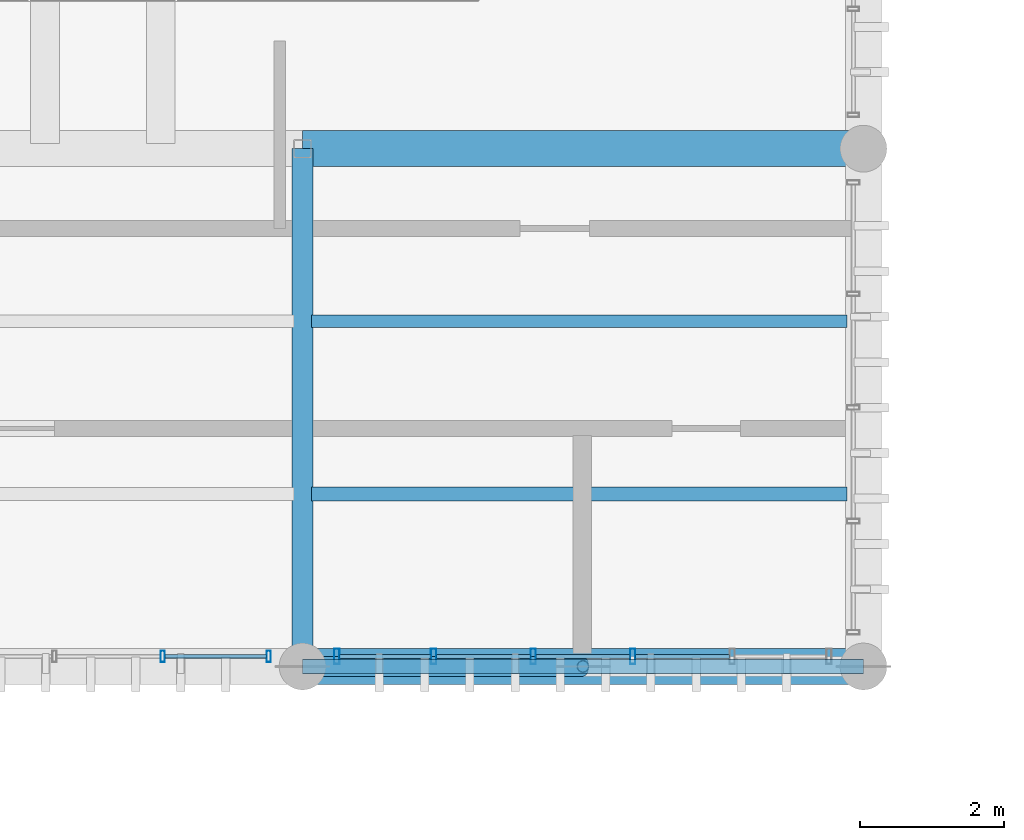
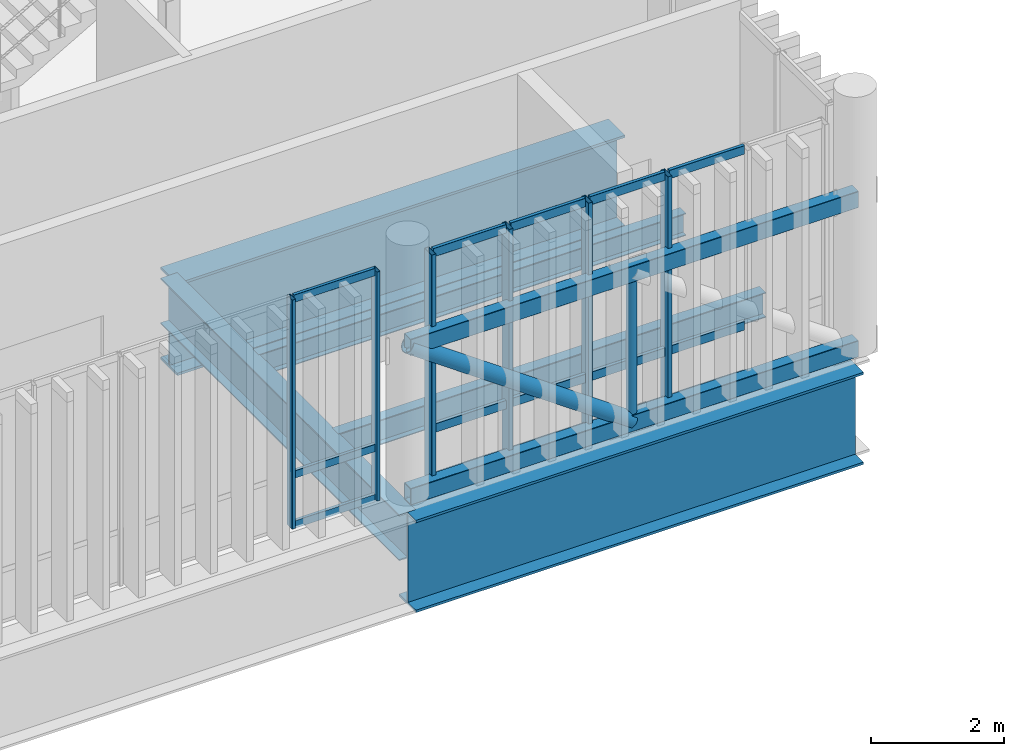
# One storey, part 34 of 86: 25 members, 5 beams, 2 elements without a shape of their own.
"""IFC4 building model written with IfcOpenShell, lengths in metres."""

from ifc_helpers import new_model, si_unit, direction, frame, origin_with_axes, origin_2d_with_axis, place, context, subcontext, project, spatial, hollow_rectangle, hollow_circle, i_section, extrude, material, material_profile, profile_set, type_object, element, aggregate, save


model = new_model("IFC4")

# Units and contexts
model_context = context("Model", 3, precision=1e-05, world=origin_with_axes(), true_north=direction((0.0, 1.0)))
body_context = subcontext(model_context, "Body", "Model", "MODEL_VIEW")
ifc_project = project(units=[si_unit("LENGTHUNIT", "METRE"), si_unit("AREAUNIT", "SQUARE_METRE"), si_unit("VOLUMEUNIT", "CUBIC_METRE"), si_unit("PLANEANGLEUNIT", "RADIAN"), si_unit("MASSUNIT", "GRAM", prefix="KILO"), si_unit("THERMODYNAMICTEMPERATUREUNIT", "KELVIN")], contexts=[model_context])

# Site, building, storey
site_placement = place(None, origin_with_axes())
site = spatial("IfcSite", under=ifc_project, at=site_placement, CompositionType="ELEMENT")
building_placement = place(site_placement, origin_with_axes())
building = spatial("IfcBuilding", under=site, at=building_placement, Name="Montbau Bow Law Courts", CompositionType="ELEMENT")
storey_placement = place(building_placement, frame((0.0, 0.0, 29.7), z_axis=(0.0, 0.0, 1.0), x_axis=(1.0, 0.0, 0.0)))
storey = spatial("IfcBuildingStorey", under=building, at=storey_placement, Name="L06", CompositionType="ELEMENT", Elevation=29.7)

# Beams
ifc_material_1 = material(Name="Steel CSA G40.21 Grade 350W (350 MPa)", Category="steel")
ifc_material_profile_1 = material_profile(ifc_material_1, i_section(OverallWidth=0.293, OverallDepth=0.846, WebThickness=0.0154, FlangeThickness=0.0244, at=origin_2d_with_axis()), Name="W840X210", Category="Main", Priority=0)
ifc_profile_set_1 = profile_set([ifc_material_profile_1], Name="Steel CSA G40.21 Grade 350W (350 MPa)")
beam_type_1 = type_object("IfcBeamType", Name="B-FLR-02", PredefinedType="BEAM", material=ifc_profile_set_1)
beam_1_placement = place(None, frame((97.2, 39.0, 28.937), z_axis=(0.0, 1.0, 0.0), x_axis=(-1.0, 0.0, 0.0)))
element("IfcBeam", 1, at=beam_1_placement, inside=storey, type_object=beam_type_1, Name="BM-L06-S1017:bm2_1020", PredefinedType="BEAM", context=body_context, shape_type="SweptSolid", body=[
    extrude(i_section(OverallWidth=0.293, OverallDepth=0.846, WebThickness=0.0154, FlangeThickness=0.0244, at=origin_2d_with_axis()), origin_with_axes(), (0.0, 0.0, 1.0), 7.2),
])
ifc_material_profile_2 = material_profile(ifc_material_1, i_section(OverallWidth=0.191, OverallDepth=0.46, WebThickness=0.0099, FlangeThickness=0.016, at=origin_2d_with_axis()), Name="W460X82", Category="Main", Priority=0)
ifc_profile_set_2 = profile_set([ifc_material_profile_2], Name="Steel CSA G40.21 Grade 350W (350 MPa)")
beam_type_2 = type_object("IfcBeamType", Name="B-JST-01", PredefinedType="JOIST", material=ifc_profile_set_2)
beam_2_placement = place(None, frame((97.323, 41.4, 29.13), z_axis=(1.0, 0.0, 0.0), x_axis=(0.0, 1.0, 0.0)))
element("IfcBeam", 2, at=beam_2_placement, inside=storey, type_object=beam_type_2, Name="JST-L06-S0524:jst2_0524", PredefinedType="JOIST", context=body_context, shape_type="SweptSolid", body=[
    extrude(i_section(OverallWidth=0.191, OverallDepth=0.46, WebThickness=0.0099, FlangeThickness=0.016, at=origin_2d_with_axis()), origin_with_axes(), (0.0, 0.0, 1.0), 7.451),
])
ifc_material_profile_3 = material_profile(ifc_material_1, i_section(OverallWidth=0.179, OverallDepth=0.41, WebThickness=0.0088, FlangeThickness=0.0144, at=origin_2d_with_axis()), Name="W410X67", Category="Main", Priority=0)
ifc_profile_set_3 = profile_set([ifc_material_profile_3], Name="Steel CSA G40.21 Grade 350W (350 MPa)")
beam_type_3 = type_object("IfcBeamType", Name="B-JST-02", PredefinedType="JOIST", material=ifc_profile_set_3)
beam_3_placement = place(None, frame((97.323, 43.8, 29.155), z_axis=(1.0, 0.0, 0.0), x_axis=(0.0, 1.0, 0.0)))
element("IfcBeam", 3, at=beam_3_placement, inside=storey, type_object=beam_type_3, Name="JST-L06-S0525:jst2_0525", PredefinedType="JOIST", context=body_context, shape_type="SweptSolid", body=[
    extrude(i_section(OverallWidth=0.179, OverallDepth=0.41, WebThickness=0.0088, FlangeThickness=0.0144, at=origin_2d_with_axis()), origin_with_axes(), (0.0, 0.0, 1.0), 7.451),
])
ifc_material_2 = material(Name="Steel CSA G40.21 Grade 350WT (350 MPa)", Category="steel")
ifc_material_profile_4 = material_profile(ifc_material_2, i_section(OverallWidth=0.5, OverallDepth=1.7, WebThickness=0.02, FlangeThickness=0.045, at=origin_2d_with_axis()), Name="WWF1700X480", Category="Main", Priority=0)
ifc_profile_set_4 = profile_set([ifc_material_profile_4], Name="Steel CSA G40.21 Grade 350WT (350 MPa)")
beam_type_4 = type_object("IfcBeamType", Name="B-TRG-02", PredefinedType="USERDEFINED", material=ifc_profile_set_4)
for number, where, z_axis, x_axis, name in (
    (4, (97.2, 39.0, 28.51), (1.0, 0.0, 0.0), (0.0, 1.0, 0.0), "TRG-L06-S0060:bm2_0063"),
    (5, (97.2, 46.2, 28.51), (1.0, 0.0, 0.0), (0.0, 1.0, 0.0), "TRG-L06-S0062:bm2_0065"),
):
    element("IfcBeam", number, at=place(None, frame(where, z_axis=z_axis, x_axis=x_axis)), inside=storey, type_object=beam_type_4, Name=name, ObjectType="GIRDER", PredefinedType="USERDEFINED", context=body_context, shape_type="SweptSolid", body=[
        extrude(i_section(OverallWidth=0.5, OverallDepth=1.7, WebThickness=0.02, FlangeThickness=0.045, at=origin_2d_with_axis()), origin_with_axes(), (0.0, 0.0, 1.0), 7.8),
    ])

# Members
ifc_material_profile_5 = material_profile(ifc_material_1, hollow_circle(Radius=0.1365, WallThickness=0.0127, at=origin_2d_with_axis()), Name="HSS273X13", Category="Main", Priority=0)
ifc_profile_set_5 = profile_set([ifc_material_profile_5], Name="Steel CSA G40.21 Grade 350W (350 MPa)")
member_type_1 = type_object("IfcMemberType", Name="M-BRC-03", PredefinedType="BRACE", material=ifc_profile_set_5)
member_1_placement = place(None, frame((97.2, 39.0, 32.45), z_axis=(0.817258134, 0.0, -0.576271761), x_axis=(0.0, 1.0, 0.0)))
element("IfcMember", 6, at=member_1_placement, inside=storey, type_object=member_type_1, Name="Diagonal brace BRC-L06-013", PredefinedType="BRACE", context=body_context, shape_type="SweptSolid", body=[
    extrude(hollow_circle(Radius=0.1365, WallThickness=0.0127, at=origin_2d_with_axis()), origin_with_axes(), (0.0, 0.0, 1.0), 4.772054),
])
ifc_material_profile_6 = material_profile(ifc_material_2, hollow_rectangle(XDim=0.203, YDim=0.305, WallThickness=0.0127, InnerFilletRadius=0.0254, OuterFilletRadius=0.0127, at=origin_2d_with_axis()), Name="HSS305X203X13", Category="Main", Priority=0)
ifc_profile_set_6 = profile_set([ifc_material_profile_6], Name="Steel CSA G40.21 Grade 350WT (350 MPa)")
member_type_2 = type_object("IfcMemberType", Name="M-CHD-02", PredefinedType="CHORD", material=ifc_profile_set_6)
for number, where, z_axis, x_axis, name in (
    (7, (97.2, 39.0, 29.7), (1.0, 0.0, 0.0), (0.0, 1.0, 0.0), "CHB-L06-07:chb_0007"),
    (8, (97.2, 39.0, 32.45), (1.0, 0.0, 0.0), (0.0, 1.0, 0.0), "CHD-L06-07:mbr_0025"),
):
    element("IfcMember", number, at=place(None, frame(where, z_axis=z_axis, x_axis=x_axis)), inside=storey, type_object=member_type_2, Name=name, PredefinedType="CHORD", context=body_context, shape_type="SweptSolid", body=[
        extrude(hollow_rectangle(XDim=0.203, YDim=0.305, WallThickness=0.0127, InnerFilletRadius=0.0254, OuterFilletRadius=0.0127, at=origin_2d_with_axis()), origin_with_axes(), (0.0, 0.0, 1.0), 7.8),
    ])

# Curtain wall, members
ifc_material_3 = material(Name="Thermally Broken Extruded Aluminium AA 6063-T6", Category="aluminium")
curtain_wall_type = type_object("IfcCurtainWallType", Name="CW-CRM-02", PredefinedType="NOTDEFINED", material=ifc_material_3)
curtain_wall_1_placement = place(None, frame((97.64, 39.14, 29.7), z_axis=(0.0, 0.0, 1.0), x_axis=(1.0, 0.0, 0.0)))
curtain_wall_1 = element("IfcCurtainWall", 9, at=curtain_wall_1_placement, inside=storey, type_object=curtain_wall_type, Name="CW-L06-228:cw_0228", PredefinedType="NOTDEFINED")
ifc_material_profile_7 = material_profile(ifc_material_3, hollow_rectangle(XDim=0.075, YDim=0.22, WallThickness=0.005, InnerFilletRadius=0.01, OuterFilletRadius=0.005, at=origin_2d_with_axis()), Name="CWM-220X75", Category="Main", Priority=0)
ifc_profile_set_7 = profile_set([ifc_material_profile_7], Name="Thermally Broken Extruded Aluminium AA 6063-T6")
member_type_3 = type_object("IfcMemberType", Name="M-MUL-01", PredefinedType="MULLION", material=ifc_profile_set_7)
member_2_placement = place(None, frame((97.677, 39.14, 29.7), z_axis=(0.0, 0.0, 1.0), x_axis=(1.0, 0.0, 0.0)))
member_2 = element("IfcMember", 10, at=member_2_placement, type_object=member_type_3, Name="CW-L06-228-M01:cw_0228_M01", PredefinedType="MULLION", context=body_context, shape_type="SweptSolid", body=[
    extrude(hollow_rectangle(XDim=0.075, YDim=0.22, WallThickness=0.005, InnerFilletRadius=0.01, OuterFilletRadius=0.005, at=origin_2d_with_axis()), origin_with_axes(), (0.0, 0.0, 1.0), 4.22),
])
member_3_placement = place(None, frame((99.024, 39.14, 29.7), z_axis=(0.0, 0.0, 1.0), x_axis=(1.0, 0.0, 0.0)))
member_3 = element("IfcMember", 11, at=member_3_placement, type_object=member_type_3, Name="CW-L06-228-M02:cw_0228_M02", PredefinedType="MULLION", context=body_context, shape_type="SweptSolid", body=[
    extrude(hollow_rectangle(XDim=0.075, YDim=0.22, WallThickness=0.005, InnerFilletRadius=0.01, OuterFilletRadius=0.005, at=origin_2d_with_axis()), origin_with_axes(), (0.0, 0.0, 1.0), 4.22),
])
member_4_placement = place(None, frame((100.408, 39.14, 29.7), z_axis=(0.0, 0.0, 1.0), x_axis=(1.0, 0.0, 0.0)))
member_4 = element("IfcMember", 12, at=member_4_placement, type_object=member_type_3, Name="CW-L06-228-M03:cw_0228_M03", PredefinedType="MULLION", context=body_context, shape_type="SweptSolid", body=[
    extrude(hollow_rectangle(XDim=0.075, YDim=0.22, WallThickness=0.005, InnerFilletRadius=0.01, OuterFilletRadius=0.005, at=origin_2d_with_axis()), origin_with_axes(), (0.0, 0.0, 1.0), 4.22),
])
member_5_placement = place(None, frame((101.792, 39.14, 29.7), z_axis=(0.0, 0.0, 1.0), x_axis=(1.0, 0.0, 0.0)))
member_5 = element("IfcMember", 13, at=member_5_placement, type_object=member_type_3, Name="CW-L06-228-M04:cw_0228_M04", PredefinedType="MULLION", context=body_context, shape_type="SweptSolid", body=[
    extrude(hollow_rectangle(XDim=0.075, YDim=0.22, WallThickness=0.005, InnerFilletRadius=0.01, OuterFilletRadius=0.005, at=origin_2d_with_axis()), origin_with_axes(), (0.0, 0.0, 1.0), 4.22),
])

curtain_wall_2_placement = place(None, frame((89.24, 39.14, 29.7), z_axis=(0.0, 0.0, 1.0), x_axis=(1.0, 0.0, 0.0)))
curtain_wall_2 = element("IfcCurtainWall", 14, at=curtain_wall_2_placement, inside=storey, type_object=curtain_wall_type, Name="CW-L06-227:cw_0227", PredefinedType="NOTDEFINED")
ifc_material_profile_8 = material_profile(ifc_material_3, hollow_rectangle(XDim=0.06, YDim=0.16, WallThickness=0.004, InnerFilletRadius=0.008, OuterFilletRadius=0.004, at=origin_2d_with_axis()), Name="CWM-160X60", Category="Main", Priority=0)
ifc_profile_set_8 = profile_set([ifc_material_profile_8], Name="Thermally Broken Extruded Aluminium AA 6063-T6")
member_type_4 = type_object("IfcMemberType", Name="M-MUL-03", PredefinedType="MULLION", material=ifc_profile_set_8)
member_6_placement = place(None, frame((95.256, 39.14, 29.7), z_axis=(0.0, 0.0, 1.0), x_axis=(1.0, 0.0, 0.0)))
member_6 = element("IfcMember", 15, at=member_6_placement, type_object=member_type_4, Name="CW-L06-227-M05:cw_0227_M05", PredefinedType="MULLION", context=body_context, shape_type="SweptSolid", body=[
    extrude(hollow_rectangle(XDim=0.06, YDim=0.16, WallThickness=0.004, InnerFilletRadius=0.008, OuterFilletRadius=0.004, at=origin_2d_with_axis()), origin_with_axes(), (0.0, 0.0, 1.0), 4.22),
])
member_7_placement = place(None, frame((96.73, 39.14, 29.7), z_axis=(0.0, 0.0, 1.0), x_axis=(1.0, 0.0, 0.0)))
member_7 = element("IfcMember", 16, at=member_7_placement, type_object=member_type_4, Name="CW-L06-227-M06:cw_0227_M06", PredefinedType="MULLION", context=body_context, shape_type="SweptSolid", body=[
    extrude(hollow_rectangle(XDim=0.06, YDim=0.16, WallThickness=0.004, InnerFilletRadius=0.008, OuterFilletRadius=0.004, at=origin_2d_with_axis()), origin_with_axes(), (0.0, 0.0, 1.0), 4.22),
])

# Member
ifc_material_profile_9 = material_profile(ifc_material_1, hollow_circle(Radius=0.084, WallThickness=0.0095, at=origin_2d_with_axis()), Name="HSS168X9.5", Category="Main", Priority=0)
ifc_profile_set_9 = profile_set([ifc_material_profile_9], Name="Steel CSA G40.21 Grade 350W (350 MPa)")
member_type_5 = type_object("IfcMemberType", Name="M-STR-01", PredefinedType="STRUT", material=ifc_profile_set_9)
member_8_placement = place(None, frame((101.1, 39.0, 29.7), z_axis=(0.0, 0.0, 1.0), x_axis=(1.0, 0.0, 0.0)))
element("IfcMember", 17, at=member_8_placement, inside=storey, type_object=member_type_5, Name="STR-L06-07:mbr_0028", PredefinedType="STRUT", context=body_context, shape_type="SweptSolid", body=[
    extrude(hollow_circle(Radius=0.084, WallThickness=0.0095, at=origin_2d_with_axis()), origin_with_axes(), (0.0, 0.0, 1.0), 2.75),
])

ifc_material_profile_10 = material_profile(ifc_material_3, hollow_rectangle(XDim=0.06, YDim=0.16, WallThickness=0.004, InnerFilletRadius=0.008, OuterFilletRadius=0.004, at=origin_2d_with_axis()), Name="CWT-160X60", Category="Main", Priority=0)
ifc_profile_set_10 = profile_set([ifc_material_profile_10], Name="Thermally Broken Extruded Aluminium AA 6063-T6")
member_type_6 = type_object("IfcMemberType", Name="M-TRN-01", PredefinedType="USERDEFINED", material=ifc_profile_set_10)
member_9_placement = place(None, frame((97.716, 39.14, 29.73), z_axis=(1.0, 0.0, 0.0), x_axis=(0.0, 1.0, 0.0)))
member_9 = element("IfcMember", 18, at=member_9_placement, type_object=member_type_6, Name="CW-L06-228-T01-1:cw_0228_T01_1", ObjectType="TRANSOM", PredefinedType="USERDEFINED", context=body_context, shape_type="SweptSolid", body=[
    extrude(hollow_rectangle(XDim=0.06, YDim=0.16, WallThickness=0.004, InnerFilletRadius=0.008, OuterFilletRadius=0.004, at=origin_2d_with_axis()), origin_with_axes(), (0.0, 0.0, 1.0), 1.268),
])

member_10_placement = place(None, frame((97.716, 39.14, 30.65), z_axis=(1.0, 0.0, 0.0), x_axis=(0.0, 1.0, 0.0)))
member_10 = element("IfcMember", 19, at=member_10_placement, type_object=member_type_6, Name="CW-L06-228-T01-2:cw_0228_T01_2", ObjectType="TRANSOM", PredefinedType="USERDEFINED", context=body_context, shape_type="SweptSolid", body=[
    extrude(hollow_rectangle(XDim=0.06, YDim=0.16, WallThickness=0.004, InnerFilletRadius=0.008, OuterFilletRadius=0.004, at=origin_2d_with_axis()), origin_with_axes(), (0.0, 0.0, 1.0), 1.268),
])

member_11_placement = place(None, frame((97.716, 39.14, 33.89), z_axis=(1.0, 0.0, 0.0), x_axis=(0.0, 1.0, 0.0)))
member_11 = element("IfcMember", 20, at=member_11_placement, type_object=member_type_6, Name="CW-L06-228-T01-3:cw_0228_T01_3", ObjectType="TRANSOM", PredefinedType="USERDEFINED", context=body_context, shape_type="SweptSolid", body=[
    extrude(hollow_rectangle(XDim=0.06, YDim=0.16, WallThickness=0.004, InnerFilletRadius=0.008, OuterFilletRadius=0.004, at=origin_2d_with_axis()), origin_with_axes(), (0.0, 0.0, 1.0), 1.268),
])

member_12_placement = place(None, frame((99.063, 39.14, 29.73), z_axis=(1.0, 0.0, 0.0), x_axis=(0.0, 1.0, 0.0)))
member_12 = element("IfcMember", 21, at=member_12_placement, type_object=member_type_6, Name="CW-L06-228-T02-1:cw_0228_T02_1", ObjectType="TRANSOM", PredefinedType="USERDEFINED", context=body_context, shape_type="SweptSolid", body=[
    extrude(hollow_rectangle(XDim=0.06, YDim=0.16, WallThickness=0.004, InnerFilletRadius=0.008, OuterFilletRadius=0.004, at=origin_2d_with_axis()), origin_with_axes(), (0.0, 0.0, 1.0), 1.305),
])

member_13_placement = place(None, frame((99.063, 39.14, 30.65), z_axis=(1.0, 0.0, 0.0), x_axis=(0.0, 1.0, 0.0)))
member_13 = element("IfcMember", 22, at=member_13_placement, type_object=member_type_6, Name="CW-L06-228-T02-2:cw_0228_T02_2", ObjectType="TRANSOM", PredefinedType="USERDEFINED", context=body_context, shape_type="SweptSolid", body=[
    extrude(hollow_rectangle(XDim=0.06, YDim=0.16, WallThickness=0.004, InnerFilletRadius=0.008, OuterFilletRadius=0.004, at=origin_2d_with_axis()), origin_with_axes(), (0.0, 0.0, 1.0), 1.305),
])

member_14_placement = place(None, frame((99.063, 39.14, 33.89), z_axis=(1.0, 0.0, 0.0), x_axis=(0.0, 1.0, 0.0)))
member_14 = element("IfcMember", 23, at=member_14_placement, type_object=member_type_6, Name="CW-L06-228-T02-3:cw_0228_T02_3", ObjectType="TRANSOM", PredefinedType="USERDEFINED", context=body_context, shape_type="SweptSolid", body=[
    extrude(hollow_rectangle(XDim=0.06, YDim=0.16, WallThickness=0.004, InnerFilletRadius=0.008, OuterFilletRadius=0.004, at=origin_2d_with_axis()), origin_with_axes(), (0.0, 0.0, 1.0), 1.305),
])

member_15_placement = place(None, frame((100.447, 39.14, 29.73), z_axis=(1.0, 0.0, 0.0), x_axis=(0.0, 1.0, 0.0)))
member_15 = element("IfcMember", 24, at=member_15_placement, type_object=member_type_6, Name="CW-L06-228-T03-1:cw_0228_T03_1", ObjectType="TRANSOM", PredefinedType="USERDEFINED", context=body_context, shape_type="SweptSolid", body=[
    extrude(hollow_rectangle(XDim=0.06, YDim=0.16, WallThickness=0.004, InnerFilletRadius=0.008, OuterFilletRadius=0.004, at=origin_2d_with_axis()), origin_with_axes(), (0.0, 0.0, 1.0), 1.306),
])

member_16_placement = place(None, frame((100.447, 39.14, 30.65), z_axis=(1.0, 0.0, 0.0), x_axis=(0.0, 1.0, 0.0)))
member_16 = element("IfcMember", 25, at=member_16_placement, type_object=member_type_6, Name="CW-L06-228-T03-2:cw_0228_T03_2", ObjectType="TRANSOM", PredefinedType="USERDEFINED", context=body_context, shape_type="SweptSolid", body=[
    extrude(hollow_rectangle(XDim=0.06, YDim=0.16, WallThickness=0.004, InnerFilletRadius=0.008, OuterFilletRadius=0.004, at=origin_2d_with_axis()), origin_with_axes(), (0.0, 0.0, 1.0), 1.306),
])

member_17_placement = place(None, frame((100.447, 39.14, 33.89), z_axis=(1.0, 0.0, 0.0), x_axis=(0.0, 1.0, 0.0)))
member_17 = element("IfcMember", 26, at=member_17_placement, type_object=member_type_6, Name="CW-L06-228-T03-3:cw_0228_T03_3", ObjectType="TRANSOM", PredefinedType="USERDEFINED", context=body_context, shape_type="SweptSolid", body=[
    extrude(hollow_rectangle(XDim=0.06, YDim=0.16, WallThickness=0.004, InnerFilletRadius=0.008, OuterFilletRadius=0.004, at=origin_2d_with_axis()), origin_with_axes(), (0.0, 0.0, 1.0), 1.306),
])

member_18_placement = place(None, frame((101.831, 39.14, 29.73), z_axis=(1.0, 0.0, 0.0), x_axis=(0.0, 1.0, 0.0)))
member_18 = element("IfcMember", 27, at=member_18_placement, type_object=member_type_6, Name="CW-L06-228-T04-1:cw_0228_T04_1", ObjectType="TRANSOM", PredefinedType="USERDEFINED", context=body_context, shape_type="SweptSolid", body=[
    extrude(hollow_rectangle(XDim=0.06, YDim=0.16, WallThickness=0.004, InnerFilletRadius=0.008, OuterFilletRadius=0.004, at=origin_2d_with_axis()), origin_with_axes(), (0.0, 0.0, 1.0), 1.306),
])

member_19_placement = place(None, frame((101.831, 39.14, 30.65), z_axis=(1.0, 0.0, 0.0), x_axis=(0.0, 1.0, 0.0)))
member_19 = element("IfcMember", 28, at=member_19_placement, type_object=member_type_6, Name="CW-L06-228-T04-2:cw_0228_T04_2", ObjectType="TRANSOM", PredefinedType="USERDEFINED", context=body_context, shape_type="SweptSolid", body=[
    extrude(hollow_rectangle(XDim=0.06, YDim=0.16, WallThickness=0.004, InnerFilletRadius=0.008, OuterFilletRadius=0.004, at=origin_2d_with_axis()), origin_with_axes(), (0.0, 0.0, 1.0), 1.306),
])

member_20_placement = place(None, frame((101.831, 39.14, 33.89), z_axis=(1.0, 0.0, 0.0), x_axis=(0.0, 1.0, 0.0)))
member_20 = element("IfcMember", 29, at=member_20_placement, type_object=member_type_6, Name="CW-L06-228-T04-3:cw_0228_T04_3", ObjectType="TRANSOM", PredefinedType="USERDEFINED", context=body_context, shape_type="SweptSolid", body=[
    extrude(hollow_rectangle(XDim=0.06, YDim=0.16, WallThickness=0.004, InnerFilletRadius=0.008, OuterFilletRadius=0.004, at=origin_2d_with_axis()), origin_with_axes(), (0.0, 0.0, 1.0), 1.306),
])

aggregate(curtain_wall_1, [member_2, member_3, member_4, member_5, member_9, member_10, member_11, member_12, member_13, member_14, member_15, member_16, member_17, member_18, member_19, member_20])

ifc_material_profile_11 = material_profile(ifc_material_3, hollow_rectangle(XDim=0.055, YDim=0.14, WallThickness=0.004, InnerFilletRadius=0.008, OuterFilletRadius=0.004, at=origin_2d_with_axis()), Name="CWT-140X55", Category="Main", Priority=0)
ifc_profile_set_11 = profile_set([ifc_material_profile_11], Name="Thermally Broken Extruded Aluminium AA 6063-T6")
member_type_7 = type_object("IfcMemberType", Name="M-TRN-02", PredefinedType="USERDEFINED", material=ifc_profile_set_11)
member_21_placement = place(None, frame((95.288, 39.14, 29.727), z_axis=(1.0, 0.0, 0.0), x_axis=(0.0, 1.0, 0.0)))
member_21 = element("IfcMember", 30, at=member_21_placement, type_object=member_type_7, Name="CW-L06-227-T05-1:cw_0227_T05_1", ObjectType="TRANSOM", PredefinedType="USERDEFINED", context=body_context, shape_type="SweptSolid", body=[
    extrude(hollow_rectangle(XDim=0.055, YDim=0.14, WallThickness=0.004, InnerFilletRadius=0.008, OuterFilletRadius=0.004, at=origin_2d_with_axis()), origin_with_axes(), (0.0, 0.0, 1.0), 1.41),
])

member_22_placement = place(None, frame((95.288, 39.14, 30.65), z_axis=(1.0, 0.0, 0.0), x_axis=(0.0, 1.0, 0.0)))
member_22 = element("IfcMember", 31, at=member_22_placement, type_object=member_type_7, Name="CW-L06-227-T05-2:cw_0227_T05_2", ObjectType="TRANSOM", PredefinedType="USERDEFINED", context=body_context, shape_type="SweptSolid", body=[
    extrude(hollow_rectangle(XDim=0.055, YDim=0.14, WallThickness=0.004, InnerFilletRadius=0.008, OuterFilletRadius=0.004, at=origin_2d_with_axis()), origin_with_axes(), (0.0, 0.0, 1.0), 1.41),
])

member_23_placement = place(None, frame((95.288, 39.14, 33.892), z_axis=(1.0, 0.0, 0.0), x_axis=(0.0, 1.0, 0.0)))
member_23 = element("IfcMember", 32, at=member_23_placement, type_object=member_type_7, Name="CW-L06-227-T05-3:cw_0227_T05_3", ObjectType="TRANSOM", PredefinedType="USERDEFINED", context=body_context, shape_type="SweptSolid", body=[
    extrude(hollow_rectangle(XDim=0.055, YDim=0.14, WallThickness=0.004, InnerFilletRadius=0.008, OuterFilletRadius=0.004, at=origin_2d_with_axis()), origin_with_axes(), (0.0, 0.0, 1.0), 1.41),
])

aggregate(curtain_wall_2, [member_6, member_7, member_21, member_22, member_23])

save(model, "model.ifc")
